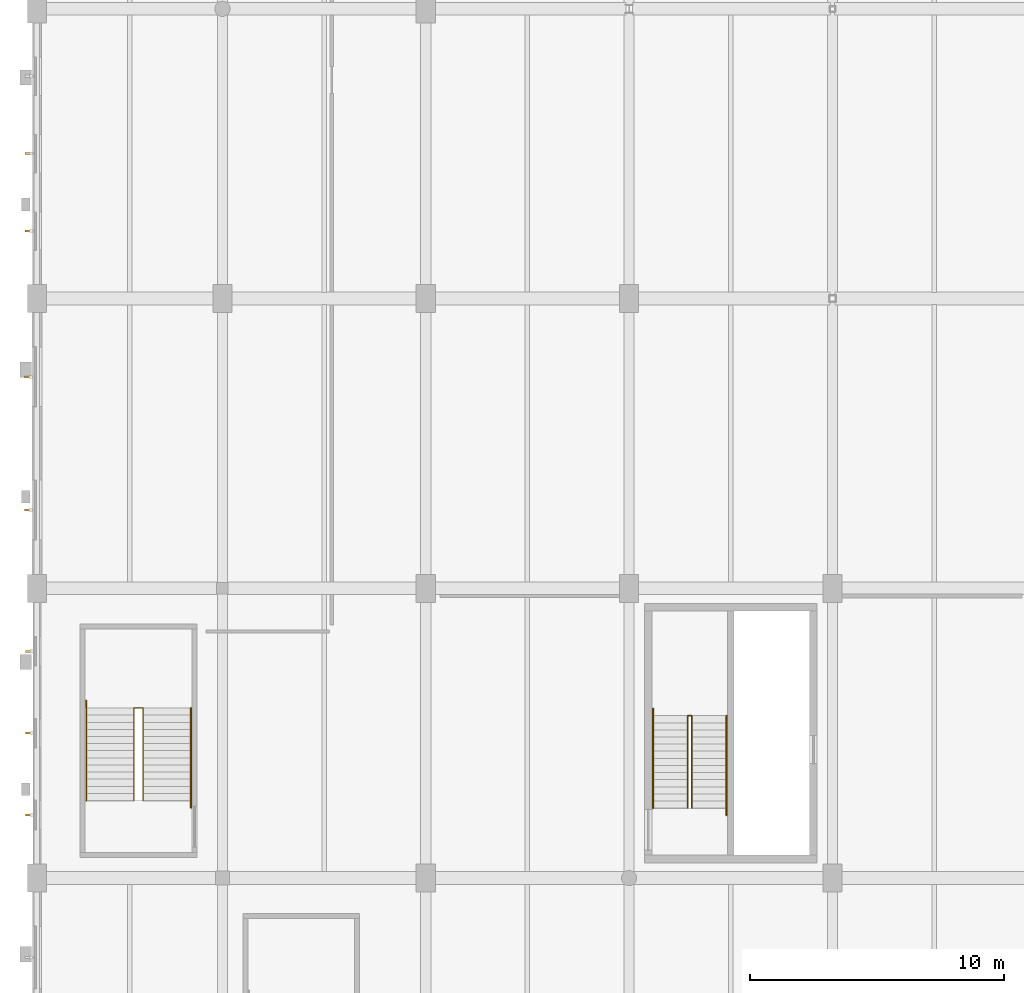
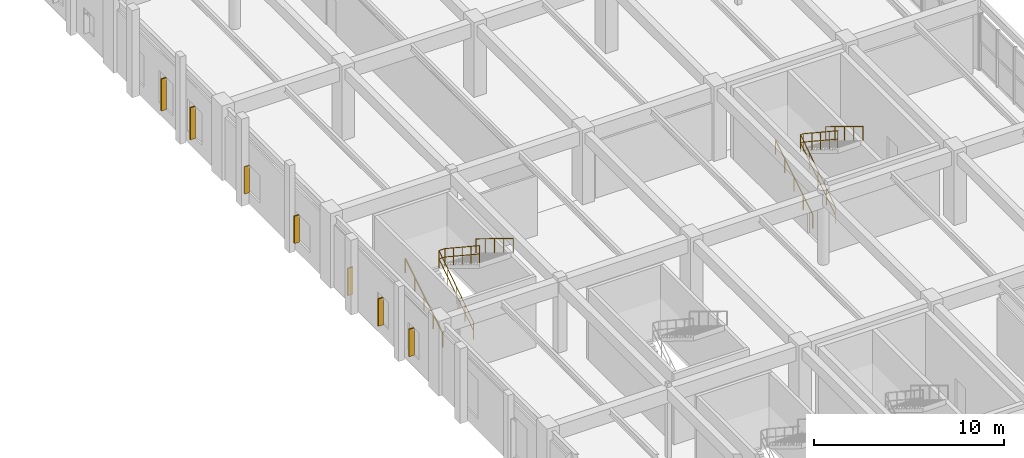
# One storey, part 98 of 106: 7 shading devices, 6 railings.
"""IFC4 building model written with IfcOpenShell, lengths in metres."""

import ifcopenshell
import ifcopenshell.guid

model = None  # the IFC model being written
_history = None  # IfcOwnerHistory: only IFC2X3 demands one
_inside = {}  # id of a spatial element -> (the spatial element, [elements in it])
_under = {}  # id of a project, library or spatial element -> (it, [spatial elements below it])
_declared = {}  # id of a project -> (the project, [libraries it declares])
_typed = {}  # id of a type object -> (the type object, [elements of that type])
_made_of = {}  # id of a material, layer set ... -> (it, [elements and type objects made of it])


def new_model(schema):
    """Start an empty IFC model of exactly this schema.

    Asked for "IFC4X3", IfcOpenShell would pick the latest addendum, in which some entities
    have other attributes; the version numbers below select the first issue.
    IFC2X3 requires an IfcOwnerHistory on every rooted entity: one is made here for all.
    """
    global model, _history
    if schema == "IFC4X3":
        model = ifcopenshell.file(schema_version=(4, 3, 0, 0))
    else:
        model = ifcopenshell.file(schema=schema)
    _inside.clear()
    _under.clear()
    _declared.clear()
    _typed.clear()
    _made_of.clear()
    _history = None
    if model.schema == "IFC2X3":
        org = make("IfcOrganization", Name="unknown")
        user = make(
            "IfcPersonAndOrganization",
            ThePerson=make("IfcPerson", FamilyName="unknown"),
            TheOrganization=org,
        )
        app = make(
            "IfcApplication",
            ApplicationDeveloper=org,
            Version="unknown",
            ApplicationFullName="unknown",
            ApplicationIdentifier="unknown",
        )
        _history = make(
            "IfcOwnerHistory",
            OwningUser=user,
            OwningApplication=app,
            ChangeAction="ADDED",
            CreationDate=0,
        )
    return model


def make(cls, **values):
    """One entity of the class cls with the attributes given. An attribute that is None is left unset."""
    return model.create_entity(
        cls, **{name: value for name, value in values.items() if value is not None}
    )


def rooted(cls, **values):
    """An entity with a GlobalId (a new one), such as an element, a storey or a relation."""
    return make(cls, GlobalId=ifcopenshell.guid.new(), OwnerHistory=_history, **values)


def si_unit(unit_type, name, prefix=None):
    """IfcSIUnit, for example si_unit("LENGTHUNIT", "METRE", prefix="MILLI")."""
    return make("IfcSIUnit", UnitType=unit_type, Prefix=prefix, Name=name)


def assignment(units):
    """IfcUnitAssignment: the units of a project."""
    return None if units is None else make("IfcUnitAssignment", Units=units)


def point(xyz):
    """IfcCartesianPoint."""
    return None if xyz is None else make("IfcCartesianPoint", Coordinates=xyz)


def direction(xyz):
    """IfcDirection."""
    return None if xyz is None else make("IfcDirection", DirectionRatios=xyz)


def frame(location, z_axis=None, x_axis=None):
    """IfcAxis2Placement3D, a coordinate frame: its origin and axes. An axis left out is left unset."""
    return make(
        "IfcAxis2Placement3D",
        Location=point(location),
        Axis=direction(z_axis),
        RefDirection=direction(x_axis),
    )


def frame_2d(location, x_axis=None):
    """IfcAxis2Placement2D, a coordinate frame in the plane: its origin and x axis."""
    return make(
        "IfcAxis2Placement2D", Location=point(location), RefDirection=direction(x_axis)
    )


def origin():
    """The frame at (0, 0, 0) with its axes left unset."""
    return frame((0.0, 0.0, 0.0))


def origin_2d():
    """The frame at (0, 0) in the plane with its x axis left unset."""
    return frame_2d((0.0, 0.0))


def place(relative_to, where):
    """IfcLocalPlacement: puts the frame where relative to a parent placement (None: the world)."""
    return make(
        "IfcLocalPlacement", PlacementRelTo=relative_to, RelativePlacement=where
    )


def context(
    kind, dimensions, precision=None, world=None, true_north=None, identifier=None
):
    """IfcGeometricRepresentationContext, for example the 3D "Model" context."""
    return make(
        "IfcGeometricRepresentationContext",
        ContextIdentifier=identifier,
        ContextType=kind,
        CoordinateSpaceDimension=dimensions,
        Precision=precision,
        WorldCoordinateSystem=world,
        TrueNorth=true_north,
    )


def subcontext(parent, identifier, kind, view, scale=None):
    """IfcGeometricRepresentationSubContext, for example "Body" below "Model"."""
    return make(
        "IfcGeometricRepresentationSubContext",
        ContextIdentifier=identifier,
        ContextType=kind,
        ParentContext=parent,
        TargetScale=scale,
        TargetView=view,
    )


def project(units=None, contexts=None):
    """IfcProject with its units and contexts."""
    return rooted(
        "IfcProject",
        Name="project",
        RepresentationContexts=contexts,
        UnitsInContext=assignment(units),
    )


def spatial(cls, under=None, at=None, **own):
    """A site, building, storey or space (cls), placed at a placement, below another one or the project."""
    s = rooted(cls, ObjectPlacement=at, **own)
    if under is not None:
        _under.setdefault(under.id(), (under, []))[1].append(s)
    return s


def profile(cls, at=None, kind="AREA", **sizes):
    """A parametric profile (cls). Its sizes go by their IFC names, for example OverallWidth=200.0."""
    return make(cls, ProfileType=kind, Position=at, **sizes)


def rectangle(**sizes):
    """IfcRectangleProfileDef."""
    return profile("IfcRectangleProfileDef", **sizes)


def circle(**sizes):
    """IfcCircleProfileDef."""
    return profile("IfcCircleProfileDef", **sizes)


def extrude(swept, where, along, depth):
    """IfcExtrudedAreaSolid: the profile swept, set in the frame where, extruded along a direction by depth."""
    return make(
        "IfcExtrudedAreaSolid",
        SweptArea=swept,
        Position=where,
        ExtrudedDirection=direction(along),
        Depth=depth,
    )


def shape(context_of_items, identifier, shape_type, items):
    """IfcShapeRepresentation: the items that make up one representation, for example the "Body"."""
    return make(
        "IfcShapeRepresentation",
        ContextOfItems=context_of_items,
        RepresentationIdentifier=identifier,
        RepresentationType=shape_type,
        Items=items,
    )


def material(Name=None, Category=None):
    """IfcMaterial."""
    return make("IfcMaterial", Name=Name, Category=Category)


def made_of(thing, what):
    """Note that an element or type object is made of a material, layer set ...; save() writes the relation."""
    if what is not None:
        _made_of.setdefault(what.id(), (what, []))[1].append(thing)
    return thing


def type_object(cls, material=None, **own):
    """A type object (cls), such as IfcWallType, which elements share."""
    return made_of(rooted(cls, **own), material)


def element(
    cls,
    number,
    at=None,
    inside=None,
    cuts=None,
    type_object=None,
    material=None,
    context=None,
    identifier="Body",
    shape_type=None,
    held_by="IfcProductDefinitionShape",
    body=None,
    shapes=None,
    **own,
):
    """One element of the class cls, such as IfcWall. Its Tag is "e" and its number.

    at: its placement. inside: the storey or other place that contains it. cuts: it is an
    opening in that element (IfcRelVoidsElement). A single representation is given by context,
    identifier, shape_type and body (its items); several are given by shapes. held_by: the class
    of the entity that holds the representations. save() writes the other relations.
    """
    e = rooted(cls, Tag="e%d" % number, ObjectPlacement=at, **own)
    if body is not None:
        shapes = [shape(context, identifier, shape_type, body)]
    if shapes is not None:
        e.Representation = make(held_by, Representations=shapes)
    if inside is not None:
        _inside.setdefault(inside.id(), (inside, []))[1].append(e)
    if cuts is not None:
        rooted(
            "IfcRelVoidsElement", RelatingBuildingElement=cuts, RelatedOpeningElement=e
        )
    if type_object is not None:
        _typed.setdefault(type_object.id(), (type_object, []))[1].append(e)
    return made_of(e, material)


def aggregate(whole, parts):
    """IfcRelAggregates: a whole, such as a stair, and the parts it consists of."""
    return rooted("IfcRelAggregates", RelatingObject=whole, RelatedObjects=parts)


def save(model, path):
    """Write the relations noted so far, then the file.

    IfcRelAggregates (storeys below a building ...), IfcRelContainedInSpatialStructure (elements
    in a storey), IfcRelDefinesByType, IfcRelAssociatesMaterial and IfcRelDeclares: one each for
    every whole, place, type object, material and project.
    """
    for whole, parts in _under.values():
        aggregate(whole, parts)
    for where, things in _inside.values():
        rooted(
            "IfcRelContainedInSpatialStructure",
            RelatedElements=things,
            RelatingStructure=where,
        )
    for kind, things in _typed.values():
        rooted("IfcRelDefinesByType", RelatedObjects=things, RelatingType=kind)
    for what, things in _made_of.values():
        rooted("IfcRelAssociatesMaterial", RelatedObjects=things, RelatingMaterial=what)
    for by, libraries in _declared.values():
        rooted("IfcRelDeclares", RelatingContext=by, RelatedDefinitions=libraries)
    model.write(path)


model = new_model("IFC4")

# Units and contexts
model_context = context("Model", 3, precision=1e-05, world=origin(), true_north=direction((0.0, 1.0)))
body_context = subcontext(model_context, "Body", "Model", "MODEL_VIEW")
ifc_project = project(units=[si_unit("LENGTHUNIT", "METRE"), si_unit("AREAUNIT", "SQUARE_METRE"), si_unit("VOLUMEUNIT", "CUBIC_METRE"), si_unit("PLANEANGLEUNIT", "RADIAN"), si_unit("MASSUNIT", "GRAM", prefix="KILO"), si_unit("POWERUNIT", "WATT"), si_unit("THERMODYNAMICTEMPERATUREUNIT", "KELVIN")], contexts=[model_context])

# Site, building, storey
site_placement = place(None, origin())
site = spatial("IfcSite", under=ifc_project, at=site_placement, CompositionType="ELEMENT")
building_placement = place(site_placement, origin())
building = spatial("IfcBuilding", under=site, at=building_placement, Name="Kelmbourne Parkland Aquatics Centre", CompositionType="ELEMENT")
storey_placement = place(building_placement, frame((0.0, 0.0, 5.39990234375)))
storey = spatial("IfcBuildingStorey", under=building, at=storey_placement, Name="L01", CompositionType="ELEMENT", Elevation=5.39990234375)

# Railings
ifc_material_1 = material(Name="Grade 316 marine stainless steel", Category="steel")
railing_type_1 = type_object("IfcRailingType", Name="RL-GD-112", PredefinedType="GUARDRAIL", material=ifc_material_1)
railing_1_placement = place(storey_placement, frame((26.307373046875, 37.75, 0.0)))
element("IfcRailing", 1, at=railing_1_placement, inside=storey, type_object=railing_type_1, Name="West Wing North Passenger Core Stair ST02 well guardrail", PredefinedType="GUARDRAIL", context=body_context, shape_type="SweptSolid", body=[
    extrude(circle(Radius=0.02392578125, at=origin_2d()), frame((0.0, 0.0, 1.09619140625), z_axis=(0.0, 0.834839479206, 0.550493454965), x_axis=(-1.0, 0.0, 0.0)), (0.0, 0.0, 1.0), 4.360107421875),
    extrude(circle(Radius=0.02392578125, at=origin_2d()), frame((0.0, 0.0, 0.56005859375), z_axis=(0.0, 0.834839479206, 0.550493454965), x_axis=(-1.0, 0.0, 0.0)), (0.0, 0.0, 1.0), 4.360107421875),
    extrude(circle(Radius=0.02392578125, at=origin_2d()), frame((0.0, 3.639892578125, 3.49609375), z_axis=(1.0, 0.0, 0.0), x_axis=(0.0, 1.0, 0.0)), (0.0, 0.0, 1.0), 0.16015625),
    extrude(circle(Radius=0.02392578125, at=origin_2d()), frame((0.0, 3.639892578125, 2.960205078125), z_axis=(1.0, 0.0, 0.0), x_axis=(0.0, 1.0, 0.0)), (0.0, 0.0, 1.0), 0.16015625),
    extrude(circle(Radius=0.02392578125, at=origin_2d()), frame((0.16015625, 3.639892578125, 3.49609375), z_axis=(0.0, -0.834865213223, 0.550454426587), x_axis=(1.0, 0.0, 0.0)), (0.0, 0.0, 1.0), 4.35986328125),
    extrude(circle(Radius=0.02392578125, at=origin_2d()), frame((0.16015625, 3.639892578125, 2.960205078125), z_axis=(0.0, -0.834865213223, 0.550454426587), x_axis=(1.0, 0.0, 0.0)), (0.0, 0.0, 1.0), 4.35986328125),
    extrude(circle(Radius=0.02099609375, at=origin_2d()), origin(), (0.0, 0.0, 1.0), 1.072021484375),
    extrude(circle(Radius=0.02099609375, at=origin_2d()), frame((0.0, 0.909912109375, 0.60009765625)), (0.0, 0.0, 1.0), 1.072021484375),
    extrude(circle(Radius=0.02099609375, at=origin_2d()), frame((0.0, 1.81982421875, 1.2001953125)), (0.0, 0.0, 1.0), 1.072021484375),
    extrude(circle(Radius=0.02099609375, at=origin_2d()), frame((0.0, 2.72998046875, 1.800048828125)), (0.0, 0.0, 1.0), 1.072021484375),
    extrude(circle(Radius=0.02099609375, at=origin_2d()), frame((0.0, 3.639892578125, 2.400146484375)), (0.0, 0.0, 1.0), 1.072021484375),
    extrude(circle(Radius=0.02099609375, at=origin_2d()), frame((0.16015625, 3.639892578125, 2.400146484375)), (0.0, 0.0, 1.0), 1.072021484375),
    extrude(circle(Radius=0.02099609375, at=origin_2d()), frame((0.16015625, 2.72998046875, 3.0)), (0.0, 0.0, 1.0), 1.072021484375),
    extrude(circle(Radius=0.02099609375, at=origin_2d()), frame((0.16015625, 1.81982421875, 3.60009765625)), (0.0, 0.0, 1.0), 1.072021484375),
    extrude(circle(Radius=0.02099609375, at=origin_2d()), frame((0.16015625, 0.909912109375, 4.2001953125)), (0.0, 0.0, 1.0), 1.072021484375),
    extrude(circle(Radius=0.02099609375, at=origin_2d()), frame((0.16015625, 0.0, 4.800048828125)), (0.0, 0.0, 1.0), 1.072021484375),
])
railing_2_placement = place(storey_placement, frame((4.52001953125, 38.050048828125, 0.0)))
element("IfcRailing", 2, at=railing_2_placement, inside=storey, type_object=railing_type_1, Name="West Hydrotherapy Exit Stair well guardrail", PredefinedType="GUARDRAIL", context=body_context, shape_type="SweptSolid", body=[
    extrude(circle(Radius=0.02392578125, at=origin_2d()), frame((0.0, 0.0, 1.09619140625), z_axis=(0.0, 0.834839479206, 0.550493454965), x_axis=(-1.0, 0.0, 0.0)), (0.0, 0.0, 1.0), 4.360107421875),
    extrude(circle(Radius=0.02392578125, at=origin_2d()), frame((0.0, 0.0, 0.56005859375), z_axis=(0.0, 0.834839479206, 0.550493454965), x_axis=(-1.0, 0.0, 0.0)), (0.0, 0.0, 1.0), 4.360107421875),
    extrude(circle(Radius=0.02392578125, at=origin_2d()), frame((0.0, 3.639892578125, 3.49609375), z_axis=(1.0, 0.0, 0.0), x_axis=(0.0, 1.0, 0.0)), (0.0, 0.0, 1.0), 0.35986328125),
    extrude(circle(Radius=0.02392578125, at=origin_2d()), frame((0.0, 3.639892578125, 2.960205078125), z_axis=(1.0, 0.0, 0.0), x_axis=(0.0, 1.0, 0.0)), (0.0, 0.0, 1.0), 0.35986328125),
    extrude(circle(Radius=0.02392578125, at=origin_2d()), frame((0.35986328125, 3.639892578125, 3.49609375), z_axis=(0.0, -0.834865213223, 0.550454426587), x_axis=(1.0, 0.0, 0.0)), (0.0, 0.0, 1.0), 4.35986328125),
    extrude(circle(Radius=0.02392578125, at=origin_2d()), frame((0.35986328125, 3.639892578125, 2.960205078125), z_axis=(0.0, -0.834865213223, 0.550454426587), x_axis=(1.0, 0.0, 0.0)), (0.0, 0.0, 1.0), 4.35986328125),
    extrude(circle(Radius=0.02099609375, at=origin_2d()), origin(), (0.0, 0.0, 1.0), 1.072021484375),
    extrude(circle(Radius=0.02099609375, at=origin_2d()), frame((0.0, 0.909912109375, 0.60009765625)), (0.0, 0.0, 1.0), 1.072021484375),
    extrude(circle(Radius=0.02099609375, at=origin_2d()), frame((0.0, 1.81982421875, 1.2001953125)), (0.0, 0.0, 1.0), 1.072021484375),
    extrude(circle(Radius=0.02099609375, at=origin_2d()), frame((0.0, 2.72998046875, 1.800048828125)), (0.0, 0.0, 1.0), 1.072021484375),
    extrude(circle(Radius=0.02099609375, at=origin_2d()), frame((0.0, 3.639892578125, 2.400146484375)), (0.0, 0.0, 1.0), 1.072021484375),
    extrude(circle(Radius=0.02099609375, at=origin_2d()), frame((0.35986328125, 3.639892578125, 2.400146484375)), (0.0, 0.0, 1.0), 1.072021484375),
    extrude(circle(Radius=0.02099609375, at=origin_2d()), frame((0.35986328125, 2.72998046875, 3.0)), (0.0, 0.0, 1.0), 1.072021484375),
    extrude(circle(Radius=0.02099609375, at=origin_2d()), frame((0.35986328125, 1.81982421875, 3.60009765625)), (0.0, 0.0, 1.0), 1.072021484375),
    extrude(circle(Radius=0.02099609375, at=origin_2d()), frame((0.35986328125, 0.909912109375, 4.2001953125)), (0.0, 0.0, 1.0), 1.072021484375),
    extrude(circle(Radius=0.02099609375, at=origin_2d()), frame((0.35986328125, 0.0, 4.800048828125)), (0.0, 0.0, 1.0), 1.072021484375),
])
railing_type_2 = type_object("IfcRailingType", Name="RL-HR-92", PredefinedType="HANDRAIL", material=ifc_material_1)
railing_3_placement = place(storey_placement, frame((24.93994140625, 37.75, 0.17138671875)))
element("IfcRailing", 3, at=railing_3_placement, inside=storey, type_object=railing_type_2, Name="West Wing North Passenger Core Stair ST02 F1 handrail", PredefinedType="HANDRAIL", context=body_context, shape_type="SweptSolid", body=[
    extrude(circle(Radius=0.02392578125, at=origin_2d()), frame((0.0, 0.0, 0.89599609375), z_axis=(0.0, 0.852832477147, 0.522184609045), x_axis=(-1.0, 0.0, 0.0)), (0.0, 0.0, 1.0), 4.596435546875),
    extrude(circle(Radius=0.02099609375, at=origin_2d()), origin(), (0.0, 0.0, 1.0), 0.871826171875),
    extrude(circle(Radius=0.02099609375, at=origin_2d()), frame((0.0, 0.97998046875, 0.60009765625)), (0.0, 0.0, 1.0), 0.871826171875),
    extrude(circle(Radius=0.02099609375, at=origin_2d()), frame((0.0, 1.9599609375, 1.2001953125)), (0.0, 0.0, 1.0), 0.871826171875),
    extrude(circle(Radius=0.02099609375, at=origin_2d()), frame((0.0, 2.93994140625, 1.800048828125)), (0.0, 0.0, 1.0), 0.871826171875),
    extrude(circle(Radius=0.02099609375, at=origin_2d()), frame((0.0, 3.919921875, 2.400146484375)), (0.0, 0.0, 1.0), 0.871826171875),
])
railing_4_placement = place(storey_placement, frame((27.8349609375, 41.389892578125, 2.571533203125)))
element("IfcRailing", 4, at=railing_4_placement, inside=storey, type_object=railing_type_2, Name="West Wing North Passenger Core Stair ST02 F2 handrail", PredefinedType="HANDRAIL", context=body_context, shape_type="SweptSolid", body=[
    extrude(circle(Radius=0.02392578125, at=origin_2d()), frame((0.0, 0.0, 0.89599609375), z_axis=(0.0, -0.852856131449, 0.522145974847), x_axis=(1.0, 0.0, 0.0)), (0.0, 0.0, 1.0), 4.59619140625),
    extrude(circle(Radius=0.02099609375, at=origin_2d()), origin(), (0.0, 0.0, 1.0), 0.871826171875),
    extrude(circle(Radius=0.02099609375, at=origin_2d()), frame((0.0, -0.97998046875, 0.60009765625)), (0.0, 0.0, 1.0), 0.871826171875),
    extrude(circle(Radius=0.02099609375, at=origin_2d()), frame((0.0, -1.9599609375, 1.199951171875)), (0.0, 0.0, 1.0), 0.871826171875),
    extrude(circle(Radius=0.02099609375, at=origin_2d()), frame((0.0, -2.93994140625, 1.7998046875)), (0.0, 0.0, 1.0), 0.871826171875),
    extrude(circle(Radius=0.02099609375, at=origin_2d()), frame((0.0, -3.919921875, 2.39990234375)), (0.0, 0.0, 1.0), 0.871826171875),
])
railing_5_placement = place(storey_placement, frame((2.639892578125, 38.050048828125, 0.17138671875)))
element("IfcRailing", 5, at=railing_5_placement, inside=storey, type_object=railing_type_2, Name="West Hydrotherapy Exit Stair F1 handrail", PredefinedType="HANDRAIL", context=body_context, shape_type="SweptSolid", body=[
    extrude(circle(Radius=0.02392578125, at=origin_2d()), frame((0.0, 0.0, 0.89599609375), z_axis=(0.0, 0.852832477147, 0.522184609045), x_axis=(-1.0, 0.0, 0.0)), (0.0, 0.0, 1.0), 4.596435546875),
    extrude(circle(Radius=0.02099609375, at=origin_2d()), origin(), (0.0, 0.0, 1.0), 0.871826171875),
    extrude(circle(Radius=0.02099609375, at=origin_2d()), frame((0.0, 0.97998046875, 0.60009765625)), (0.0, 0.0, 1.0), 0.871826171875),
    extrude(circle(Radius=0.02099609375, at=origin_2d()), frame((0.0, 1.9599609375, 1.2001953125)), (0.0, 0.0, 1.0), 0.871826171875),
    extrude(circle(Radius=0.02099609375, at=origin_2d()), frame((0.0, 2.93994140625, 1.800048828125)), (0.0, 0.0, 1.0), 0.871826171875),
    extrude(circle(Radius=0.02099609375, at=origin_2d()), frame((0.0, 3.919921875, 2.400146484375)), (0.0, 0.0, 1.0), 0.871826171875),
])
railing_6_placement = place(storey_placement, frame((6.760009765625, 41.68994140625, 2.571533203125)))
element("IfcRailing", 6, at=railing_6_placement, inside=storey, type_object=railing_type_2, Name="West Hydrotherapy Exit Stair F2 handrail", PredefinedType="HANDRAIL", context=body_context, shape_type="SweptSolid", body=[
    extrude(circle(Radius=0.02392578125, at=origin_2d()), frame((0.0, 0.0, 0.89599609375), z_axis=(0.0, -0.852856131449, 0.522145974847), x_axis=(1.0, 0.0, 0.0)), (0.0, 0.0, 1.0), 4.59619140625),
    extrude(circle(Radius=0.02099609375, at=origin_2d()), origin(), (0.0, 0.0, 1.0), 0.871826171875),
    extrude(circle(Radius=0.02099609375, at=origin_2d()), frame((0.0, -0.97998046875, 0.60009765625)), (0.0, 0.0, 1.0), 0.871826171875),
    extrude(circle(Radius=0.02099609375, at=origin_2d()), frame((0.0, -1.9599609375, 1.199951171875)), (0.0, 0.0, 1.0), 0.871826171875),
    extrude(circle(Radius=0.02099609375, at=origin_2d()), frame((0.0, -2.93994140625, 1.7998046875)), (0.0, 0.0, 1.0), 0.871826171875),
    extrude(circle(Radius=0.02099609375, at=origin_2d()), frame((0.0, -3.919921875, 2.39990234375)), (0.0, 0.0, 1.0), 0.871826171875),
])

# Shading devices
ifc_material_2 = material(Name="Architectural extruded terracotta baguettes", Category="masonry")
shading_device_type = type_object("IfcShadingDeviceType", Name="SHD-FIN-1", PredefinedType="USERDEFINED", material=ifc_material_2)
for number, where, z_axis, x_axis, name in (
    (7, (0.405029296875, 37.47705078125, 0.75), (0.0, 0.0, 1.0), (0.0, 1.0, 0.0), "Terracotta vertical solar fin 080"),
    (8, (0.405029296875, 40.699951171875, 0.75), (0.0, 0.0, 1.0), (0.0, 1.0, 0.0), "Terracotta vertical solar fin 081"),
    (9, (0.405029296875, 43.923095703125, 0.75), (0.0, 0.0, 1.0), (0.0, 1.0, 0.0), "Terracotta vertical solar fin 082"),
    (10, (0.364990234375, 49.47705078125, 0.75), (0.0, 0.0, 1.0), (0.0, 1.0, 0.0), "Terracotta vertical solar fin 083"),
    (11, (0.364990234375, 54.722900390625, 0.75), (0.0, 0.0, 1.0), (0.0, 1.0, 0.0), "Terracotta vertical solar fin 084"),
):
    element("IfcShadingDevice", number, at=place(storey_placement, frame(where, z_axis=z_axis, x_axis=x_axis)), inside=storey, type_object=shading_device_type, Name=name, ObjectType="SOLAR FIN", PredefinedType="USERDEFINED", context=body_context, shape_type="SweptSolid", body=[
        extrude(rectangle(XDim=0.080078125, YDim=0.320068359375, at=origin_2d()), origin(), (0.0, 0.0, 1.0), 1.75),
    ])
for number, where, z_axis, x_axis, name in (
    (12, (0.385009765625, 60.451904296875, 0.75), (0.0, 0.0, 1.0), (0.0, 1.0, 0.0), "Terracotta vertical solar fin 085"),
    (13, (0.385009765625, 63.5, 0.75), (0.0, 0.0, 1.0), (0.0, 1.0, 0.0), "Terracotta vertical solar fin 086"),
):
    element("IfcShadingDevice", number, at=place(storey_placement, frame(where, z_axis=z_axis, x_axis=x_axis)), inside=storey, type_object=shading_device_type, Name=name, ObjectType="SOLAR FIN", PredefinedType="USERDEFINED", context=body_context, shape_type="SweptSolid", body=[
        extrude(rectangle(XDim=0.080078125, YDim=0.320068359375, at=origin_2d()), origin(), (0.0, 0.0, 1.0), 2.050048828125),
    ])

save(model, "model.ifc")
